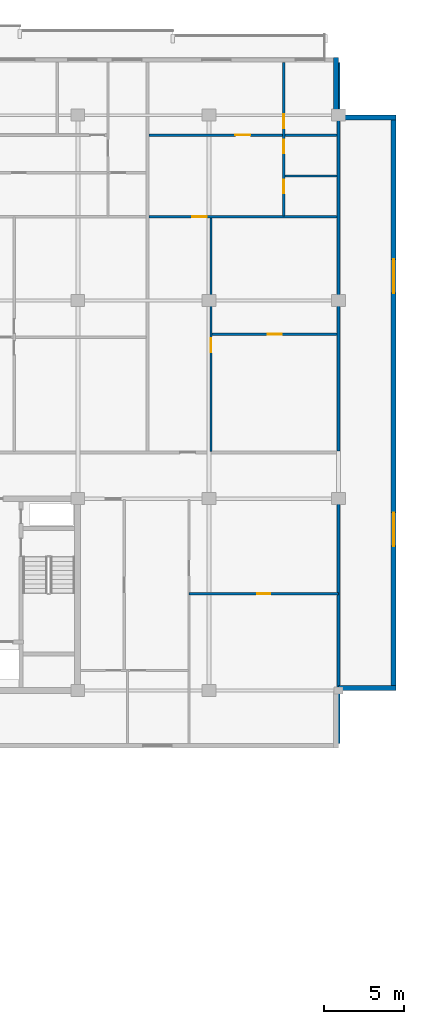
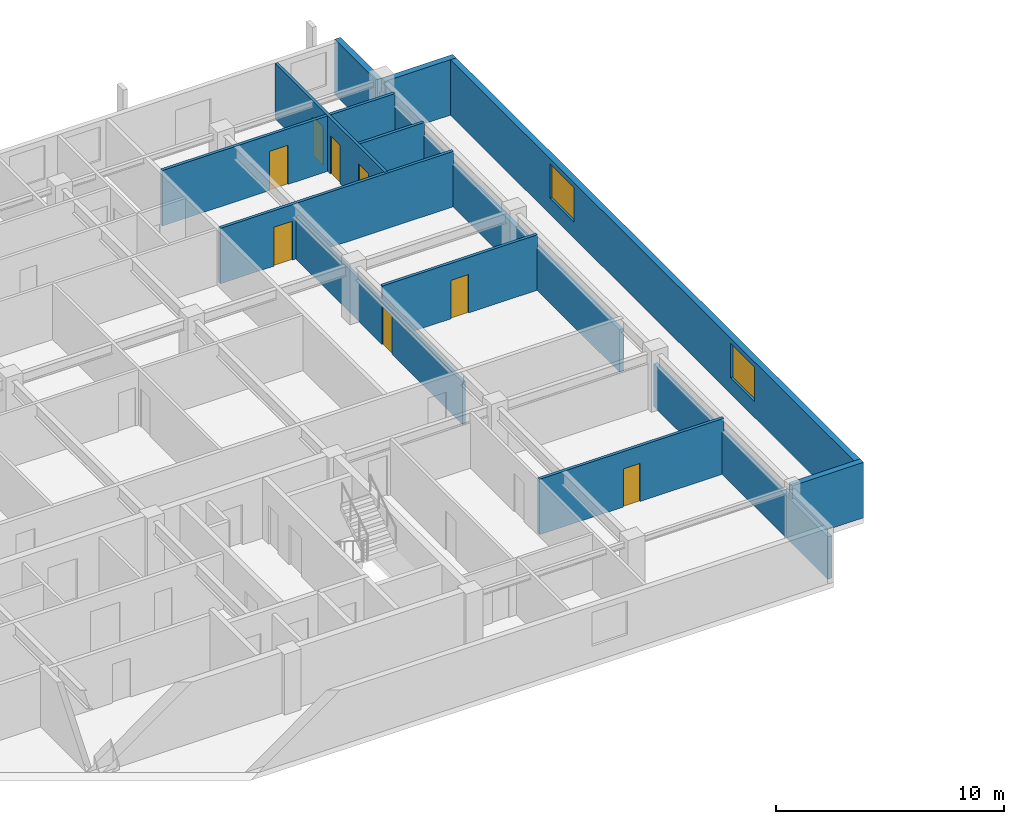
# One storey, part 16 of 22: 13 walls, 8 doors, 2 windows, 10 openings.
"""IFC4 building model written with IfcOpenShell, lengths in metres."""

from ifc_helpers import new_model, si_unit, direction, frame, frame_2d, origin, place, context, subcontext, project, spatial, rectangle, extrude, material, layer, layer_set, type_object, element, fill, save


model = new_model("IFC4")

# Units and contexts
model_context = context("Model", 3, precision=1e-05, world=origin(), true_north=direction((0.0, 1.0)))
body_context = subcontext(model_context, "Body", "Model", "MODEL_VIEW")
ifc_project = project(units=[si_unit("LENGTHUNIT", "METRE"), si_unit("AREAUNIT", "SQUARE_METRE"), si_unit("VOLUMEUNIT", "CUBIC_METRE"), si_unit("PLANEANGLEUNIT", "RADIAN"), si_unit("MASSUNIT", "GRAM", prefix="KILO")], contexts=[model_context])

# Site, building, storey
site_placement = place(None, origin())
site = spatial("IfcSite", under=ifc_project, at=site_placement, CompositionType="ELEMENT")
building_placement = place(site_placement, origin())
building = spatial("IfcBuilding", under=site, at=building_placement, Name="Korimba Cascade Residences", CompositionType="ELEMENT")
storey_placement = place(building_placement, frame((0.0, 0.0, 194.60009765625)))
storey = spatial("IfcBuildingStorey", under=building, at=storey_placement, Name="L56", CompositionType="ELEMENT", Elevation=194.60009765625)

# Wall
ifc_material_1 = material(Name="Precast concrete C40/50", Category="concrete")
ifc_layer_1 = layer(ifc_material_1, 0.300048828125)
ifc_layer_set_1 = layer_set([ifc_layer_1], Name="Precast concrete C40/50")
wall_type_1 = type_object("IfcWallType", Name="EW-STONE-300", PredefinedType="STANDARD", material=ifc_layer_set_1)
wall_1_placement = place(storey_placement, frame((128.39990234375, 55.35009765625, 0.0), z_axis=(0.0, 0.0, 1.0), x_axis=(1.0, 0.0, 0.0)))
element("IfcWall", 1, at=wall_1_placement, inside=storey, type_object=wall_type_1, Name="L56 T1 Perimeter Stone Wall E02", PredefinedType="STANDARD", context=body_context, shape_type="SweptSolid", body=[
    extrude(rectangle(XDim=3.60009765625, YDim=0.300048828125, at=frame_2d((1.800048828125, 0.0))), origin(), (0.0, 0.0, 1.0), 2.969970703125),
])

# Wall, openings, windows
wall_2_placement = place(storey_placement, frame((131.85009765625, 55.199951171875, 0.0), z_axis=(0.0, 0.0, 1.0), x_axis=(0.0, 1.0, 0.0)))
wall_2 = element("IfcWall", 2, at=wall_2_placement, inside=storey, type_object=wall_type_1, Name="L56 T1 Perimeter Stone Wall E03", PredefinedType="STANDARD", context=body_context, shape_type="SweptSolid", body=[
    extrude(rectangle(XDim=36.0, YDim=0.300048828125, at=frame_2d((18.0, 0.0))), origin(), (0.0, 0.0, 1.0), 2.969970703125),
])
opening_1_placement = place(wall_2_placement, frame((9.030029296875, 0.0, 0.85009765625)))
opening_1 = element("IfcOpeningElement", 3, at=opening_1_placement, cuts=wall_2, Name="Opening W-03", PredefinedType="OPENING", context=body_context, shape_type="SweptSolid", body=[
    extrude(rectangle(XDim=2.10009765625, YDim=1.85009765625, at=frame_2d((1.050048828125, 0.925048828125))), frame((0.0, 0.16015625, 0.0), z_axis=(0.0, -1.0, 0.0), x_axis=(1.0, 0.0, 0.0)), (0.0, 0.0, 1.0), 0.320068359375),
])
opening_2_placement = place(wall_2_placement, frame((24.8701171875, 0.0, 0.85009765625)))
opening_2 = element("IfcOpeningElement", 4, at=opening_2_placement, cuts=wall_2, Name="Opening W-03", PredefinedType="OPENING", context=body_context, shape_type="SweptSolid", body=[
    extrude(rectangle(XDim=2.10009765625, YDim=1.85009765625, at=frame_2d((1.050048828125, 0.925048828125))), frame((0.0, 0.16015625, 0.0), z_axis=(0.0, -1.0, 0.0), x_axis=(1.0, 0.0, 0.0)), (0.0, 0.0, 1.0), 0.320068359375),
])
ifc_material_2 = material(Name="Double-Glazed Aluminium Window", Category="aluminium")
window_type = type_object("IfcWindowType", Name="WIN-CRN-2100", PartitioningType="DOUBLE_PANEL_HORIZONTAL", PredefinedType="WINDOW", material=ifc_material_2)
window_1_placement = place(opening_1_placement, origin())
window_1 = element("IfcWindow", 5, at=window_1_placement, inside=storey, type_object=window_type, Name="L56 T1 End View Window 3.1", OverallHeight=1.85009765625, OverallWidth=2.10009765625, PartitioningType="DOUBLE_PANEL_HORIZONTAL", PredefinedType="WINDOW", context=body_context, shape_type="SweptSolid", body=[
    extrude(rectangle(XDim=2.10009765625, YDim=1.85009765625, at=frame_2d((1.050048828125, 0.925048828125))), frame((0.0, 0.030029296875, 0.0), z_axis=(0.0, -1.0, 0.0), x_axis=(1.0, 0.0, 0.0)), (0.0, 0.0, 1.0), 0.06005859375),
])
fill(opening_1, window_1)
window_2_placement = place(opening_2_placement, origin())
window_2 = element("IfcWindow", 6, at=window_2_placement, inside=storey, type_object=window_type, Name="L56 T1 End View Window 3.2", OverallHeight=1.85009765625, OverallWidth=2.10009765625, PartitioningType="DOUBLE_PANEL_HORIZONTAL", PredefinedType="WINDOW", context=body_context, shape_type="SweptSolid", body=[
    extrude(rectangle(XDim=2.10009765625, YDim=1.85009765625, at=frame_2d((1.050048828125, 0.925048828125))), frame((0.0, 0.030029296875, 0.0), z_axis=(0.0, -1.0, 0.0), x_axis=(1.0, 0.0, 0.0)), (0.0, 0.0, 1.0), 0.06005859375),
])
fill(opening_2, window_2)

# Walls
for number, where, z_axis, x_axis, name in (
    (7, (132.0, 91.050048828125, 0.0), (0.0, 0.0, 1.0), (-1.0, 0.0, 0.0), "L56 T1 Perimeter Stone Wall E04"),
    (8, (128.25, 91.199951171875, 0.0), (0.0, 0.0, 1.0), (0.0, 1.0, 0.0), "L56 T1 Perimeter Stone Wall E05"),
):
    element("IfcWall", number, at=place(storey_placement, frame(where, z_axis=z_axis, x_axis=x_axis)), inside=storey, type_object=wall_type_1, Name=name, PredefinedType="STANDARD", context=body_context, shape_type="SweptSolid", body=[
        extrude(rectangle(XDim=3.60009765625, YDim=0.300048828125, at=frame_2d((1.800048828125, 0.0))), origin(), (0.0, 0.0, 1.0), 2.969970703125),
    ])
ifc_layer_2 = layer(ifc_material_1, 0.199951171875)
ifc_layer_set_2 = layer_set([ifc_layer_2], Name="Precast concrete C40/50")
wall_type_2 = type_object("IfcWallType", Name="WAL-IT-200", PredefinedType="PARTITIONING", material=ifc_layer_set_2)
wall_3_placement = place(storey_placement, frame((128.39990234375, 51.89990234375, 0.0), z_axis=(0.0, 0.0, 1.0), x_axis=(0.0, 1.0, 0.0)))
element("IfcWall", 9, at=wall_3_placement, inside=storey, type_object=wall_type_2, Name="L56 Partition Wall WAL-L56-T1-FE-WR", PredefinedType="PARTITIONING", context=body_context, shape_type="SweptSolid", body=[
    extrude(rectangle(XDim=15.300048828125, YDim=0.199951171875, at=frame_2d((7.64990234375, 0.0))), origin(), (0.0, 0.0, 1.0), 2.277099609375),
])
wall_4_placement = place(storey_placement, frame((128.39990234375, 70.179931640625, 0.0), z_axis=(0.0, 0.0, 1.0), x_axis=(0.0, 1.0, 0.0)))
element("IfcWall", 10, at=wall_4_placement, inside=storey, type_object=wall_type_2, Name="L56 Partition Wall WAL-L56-T1-BNDWR", PredefinedType="PARTITIONING", context=body_context, shape_type="SweptSolid", body=[
    extrude(rectangle(XDim=24.320068359375, YDim=0.199951171875, at=frame_2d((12.16015625, 0.0))), origin(), (0.0, 0.0, 1.0), 2.277099609375),
])

# Wall, opening, door
ifc_material_3 = material(Name="Insulated Acoustic Stud Partition", Category="gypsum")
ifc_layer_3 = layer(ifc_material_3, 0.14990234375)
ifc_layer_set_3 = layer_set([ifc_layer_3], Name="Insulated Acoustic Stud Partition")
wall_type_3 = type_object("IfcWallType", Name="WAL-PART-150", PredefinedType="PARTITIONING", material=ifc_layer_set_3)
wall_5_placement = place(storey_placement, frame((119.050048828125, 61.25, 0.0), z_axis=(0.0, 0.0, 1.0), x_axis=(1.0, 0.0, 0.0)))
wall_5 = element("IfcWall", 11, at=wall_5_placement, inside=storey, type_object=wall_type_3, Name="L56 Partition Wall WAL-L56-T1-FE-STH", PredefinedType="PARTITIONING", context=body_context, shape_type="SweptSolid", body=[
    extrude(rectangle(XDim=9.349853515625, YDim=0.14990234375, at=frame_2d((4.6748046875, 0.0))), origin(), (0.0, 0.0, 1.0), 2.969970703125),
])
opening_3_placement = place(wall_5_placement, frame((4.2548828125, 0.0, 0.0)))
opening_3 = element("IfcOpeningElement", 12, at=opening_3_placement, cuts=wall_5, Name="Opening D-BT1", PredefinedType="OPENING", context=body_context, shape_type="SweptSolid", body=[
    extrude(rectangle(XDim=0.840087890625, YDim=2.0400390625, at=frame_2d((0.419921875, 1.02001953125))), frame((0.0, 0.0849609375, 0.0), z_axis=(0.0, -1.0, 0.0), x_axis=(1.0, 0.0, 0.0)), (0.0, 0.0, 1.0), 0.169921875),
])
ifc_material_4 = material(Name="Moisture-Resistant Bathroom Timber Door", Category="wood")
door_type_1 = type_object("IfcDoorType", Name="DR-INT-850", OperationType="NOTDEFINED", PredefinedType="DOOR", material=ifc_material_4)
door_1_placement = place(opening_3_placement, origin())
door_1 = element("IfcDoor", 13, at=door_1_placement, inside=storey, type_object=door_type_1, Name="L56-T1-FE Dressing Store Door", OperationType="SINGLE_SWING_RIGHT", OverallHeight=2.0400390625, OverallWidth=0.840087890625, PredefinedType="DOOR", context=body_context, shape_type="SweptSolid", body=[
    extrude(rectangle(XDim=0.840087890625, YDim=2.0400390625, at=frame_2d((0.419921875, 1.02001953125))), frame((0.0, 0.02490234375, 0.0), z_axis=(0.0, -1.0, 0.0), x_axis=(1.0, 0.0, 0.0)), (0.0, 0.0, 1.0), 0.050048828125),
])
fill(opening_3, door_1)

wall_6_placement = place(storey_placement, frame((120.482421875, 77.485107421875, 0.0), z_axis=(0.0, 0.0, 1.0), x_axis=(1.0, 0.0, 0.0)))
wall_6 = element("IfcWall", 14, at=wall_6_placement, inside=storey, type_object=wall_type_3, Name="L56 Partition Wall WAL-L56-T1-U04-FMH", PredefinedType="PARTITIONING", context=body_context, shape_type="SweptSolid", body=[
    extrude(rectangle(XDim=7.837646484375, YDim=0.14990234375, at=frame_2d((3.9189453125, 0.0))), origin(), (0.0, 0.0, 1.0), 2.969970703125),
])
opening_4_placement = place(wall_6_placement, frame((3.478759765625, 0.0, 0.0)))
opening_4 = element("IfcOpeningElement", 15, at=opening_4_placement, cuts=wall_6, Name="Opening D-IN2", PredefinedType="OPENING", context=body_context, shape_type="SweptSolid", body=[
    extrude(rectangle(XDim=0.8798828125, YDim=2.06005859375, at=frame_2d((0.43994140625, 1.030029296875))), frame((0.0, 0.0849609375, 0.0), z_axis=(0.0, -1.0, 0.0), x_axis=(1.0, 0.0, 0.0)), (0.0, 0.0, 1.0), 0.169921875),
])
ifc_material_5 = material(Name="Acoustic Timber Bedroom Door", Category="wood")
door_type_2 = type_object("IfcDoorType", Name="DR-INT-880", OperationType="NOTDEFINED", PredefinedType="DOOR", material=ifc_material_5)
door_2_placement = place(opening_4_placement, origin())
door_2 = element("IfcDoor", 16, at=door_2_placement, inside=storey, type_object=door_type_2, Name="L56-T1-U04 Library Salon Door", OperationType="SINGLE_SWING_RIGHT", OverallHeight=2.06005859375, OverallWidth=0.8798828125, PredefinedType="DOOR", context=body_context, shape_type="SweptSolid", body=[
    extrude(rectangle(XDim=0.8798828125, YDim=2.06005859375, at=frame_2d((0.43994140625, 1.030029296875))), frame((0.0, 0.02490234375, 0.0), z_axis=(0.0, -1.0, 0.0), x_axis=(1.0, 0.0, 0.0)), (0.0, 0.0, 1.0), 0.050048828125),
])
fill(opening_4, door_2)

wall_7_placement = place(storey_placement, frame((120.42236328125, 70.159912109375, 0.0), z_axis=(0.0, 0.0, 1.0), x_axis=(0.0, 1.0, 0.0)))
wall_7 = element("IfcWall", 17, at=wall_7_placement, inside=storey, type_object=wall_type_3, Name="L56 Partition Wall WAL-L56-T1-U04-FV", PredefinedType="PARTITIONING", context=body_context, shape_type="SweptSolid", body=[
    extrude(rectangle(XDim=14.650146484375, YDim=0.14990234375, at=frame_2d((7.3251953125, 0.0))), origin(), (0.0, 0.0, 1.0), 2.277099609375),
])
opening_5_placement = place(wall_7_placement, frame((6.195068359375, 0.0, 0.0)))
opening_5 = element("IfcOpeningElement", 18, at=opening_5_placement, cuts=wall_7, Name="Opening D-IN2", PredefinedType="OPENING", context=body_context, shape_type="SweptSolid", body=[
    extrude(rectangle(XDim=0.8798828125, YDim=2.06005859375, at=frame_2d((0.43994140625, 1.030029296875))), frame((0.0, 0.0849609375, 0.0), z_axis=(0.0, -1.0, 0.0), x_axis=(1.0, 0.0, 0.0)), (0.0, 0.0, 1.0), 0.169921875),
])
door_3_placement = place(opening_5_placement, origin())
door_3 = element("IfcDoor", 19, at=door_3_placement, inside=storey, type_object=door_type_2, Name="L56-T1-U04 Media Lounge Door", OperationType="SINGLE_SWING_LEFT", OverallHeight=2.06005859375, OverallWidth=0.8798828125, PredefinedType="DOOR", context=body_context, shape_type="SweptSolid", body=[
    extrude(rectangle(XDim=0.8798828125, YDim=2.06005859375, at=frame_2d((0.43994140625, 1.030029296875))), frame((0.0, 0.02490234375, 0.0), z_axis=(0.0, -1.0, 0.0), x_axis=(1.0, 0.0, 0.0)), (0.0, 0.0, 1.0), 0.050048828125),
])
fill(opening_5, door_3)

# Wall
wall_8_placement = place(storey_placement, frame((125.0400390625, 87.389892578125, 0.0), z_axis=(0.0, 0.0, 1.0), x_axis=(1.0, 0.0, 0.0)))
element("IfcWall", 20, at=wall_8_placement, inside=storey, type_object=wall_type_3, Name="L56 Partition Wall WAL-L56-T1-U04-BLDIV", PredefinedType="PARTITIONING", context=body_context, shape_type="SweptSolid", body=[
    extrude(rectangle(XDim=3.280029296875, YDim=0.14990234375, at=frame_2d((1.64013671875, 0.0))), origin(), (0.0, 0.0, 1.0), 2.969970703125),
])

# Wall, openings, doors
wall_9_placement = place(storey_placement, frame((124.97998046875, 84.889892578125, 0.0), z_axis=(0.0, 0.0, 1.0), x_axis=(0.0, 1.0, 0.0)))
wall_9 = element("IfcWall", 21, at=wall_9_placement, inside=storey, type_object=wall_type_3, Name="L56 Partition Wall WAL-L56-T1-U04-V1", PredefinedType="PARTITIONING", context=body_context, shape_type="SweptSolid", body=[
    extrude(rectangle(XDim=9.610107421875, YDim=0.14990234375, at=frame_2d((4.80517578125, 0.0))), origin(), (0.0, 0.0, 1.0), 2.969970703125),
])
opening_6_placement = place(wall_9_placement, frame((1.430419921875, 0.0, 0.0)))
opening_6 = element("IfcOpeningElement", 22, at=opening_6_placement, cuts=wall_9, Name="Opening D-BT1", PredefinedType="OPENING", context=body_context, shape_type="SweptSolid", body=[
    extrude(rectangle(XDim=0.840087890625, YDim=2.0400390625, at=frame_2d((0.419921875, 1.02001953125))), frame((0.0, 0.0849609375, 0.0), z_axis=(0.0, -1.0, 0.0), x_axis=(1.0, 0.0, 0.0)), (0.0, 0.0, 1.0), 0.169921875),
])
opening_7_placement = place(wall_9_placement, frame((3.919921875, 0.0, 0.0)))
opening_7 = element("IfcOpeningElement", 23, at=opening_7_placement, cuts=wall_9, Name="Opening D-BT1", PredefinedType="OPENING", context=body_context, shape_type="SweptSolid", body=[
    extrude(rectangle(XDim=0.840087890625, YDim=2.0400390625, at=frame_2d((0.419921875, 1.02001953125))), frame((0.0, 0.0849609375, 0.0), z_axis=(0.0, -1.0, 0.0), x_axis=(1.0, 0.0, 0.0)), (0.0, 0.0, 1.0), 0.169921875),
])
opening_8_placement = place(wall_9_placement, frame((5.47998046875, 0.0, 0.0)))
opening_8 = element("IfcOpeningElement", 24, at=opening_8_placement, cuts=wall_9, Name="Opening D-IN2", PredefinedType="OPENING", context=body_context, shape_type="SweptSolid", body=[
    extrude(rectangle(XDim=0.8798828125, YDim=2.06005859375, at=frame_2d((0.43994140625, 1.030029296875))), frame((0.0, 0.0849609375, 0.0), z_axis=(0.0, -1.0, 0.0), x_axis=(1.0, 0.0, 0.0)), (0.0, 0.0, 1.0), 0.169921875),
])
door_4_placement = place(opening_6_placement, origin())
door_4 = element("IfcDoor", 25, at=door_4_placement, inside=storey, type_object=door_type_1, Name="L56-T1-U04 Bathroom Door", OperationType="SINGLE_SWING_RIGHT", OverallHeight=2.0400390625, OverallWidth=0.840087890625, PredefinedType="DOOR", context=body_context, shape_type="SweptSolid", body=[
    extrude(rectangle(XDim=0.840087890625, YDim=2.0400390625, at=frame_2d((0.419921875, 1.02001953125))), frame((0.0, 0.02490234375, 0.0), z_axis=(0.0, -1.0, 0.0), x_axis=(1.0, 0.0, 0.0)), (0.0, 0.0, 1.0), 0.050048828125),
])
fill(opening_6, door_4)
door_5_placement = place(opening_7_placement, origin())
door_5 = element("IfcDoor", 26, at=door_5_placement, inside=storey, type_object=door_type_1, Name="L56-T1-U04 Laundry Door", OperationType="SINGLE_SWING_LEFT", OverallHeight=2.0400390625, OverallWidth=0.840087890625, PredefinedType="DOOR", context=body_context, shape_type="SweptSolid", body=[
    extrude(rectangle(XDim=0.840087890625, YDim=2.0400390625, at=frame_2d((0.419921875, 1.02001953125))), frame((0.0, 0.02490234375, 0.0), z_axis=(0.0, -1.0, 0.0), x_axis=(1.0, 0.0, 0.0)), (0.0, 0.0, 1.0), 0.050048828125),
])
fill(opening_7, door_5)
door_6_placement = place(opening_8_placement, origin())
door_6 = element("IfcDoor", 27, at=door_6_placement, inside=storey, type_object=door_type_2, Name="L56-T1-U04 Bedroom 1 Door", OperationType="SINGLE_SWING_RIGHT", OverallHeight=2.06005859375, OverallWidth=0.8798828125, PredefinedType="DOOR", context=body_context, shape_type="SweptSolid", body=[
    extrude(rectangle(XDim=0.8798828125, YDim=2.06005859375, at=frame_2d((0.43994140625, 1.030029296875))), frame((0.0, 0.02490234375, 0.0), z_axis=(0.0, -1.0, 0.0), x_axis=(1.0, 0.0, 0.0)), (0.0, 0.0, 1.0), 0.050048828125),
])
fill(opening_8, door_6)

# Wall, opening, door
wall_10_placement = place(storey_placement, frame((116.5322265625, 84.85009765625, 0.0), z_axis=(0.0, 0.0, 1.0), x_axis=(1.0, 0.0, 0.0)))
wall_10 = element("IfcWall", 28, at=wall_10_placement, inside=storey, type_object=wall_type_3, Name="L56 Partition Wall WAL-L56-T1-U04-MW", PredefinedType="PARTITIONING", context=body_context, shape_type="SweptSolid", body=[
    extrude(rectangle(XDim=11.787841796875, YDim=0.14990234375, at=frame_2d((5.89404296875, 0.0))), origin(), (0.0, 0.0, 1.0), 2.969970703125),
])
opening_9_placement = place(wall_10_placement, frame((2.719970703125, 0.0, 0.0)))
opening_9 = element("IfcOpeningElement", 29, at=opening_9_placement, cuts=wall_10, Name="Opening D-IN1", PredefinedType="OPENING", context=body_context, shape_type="SweptSolid", body=[
    extrude(rectangle(XDim=0.919921875, YDim=2.080078125, at=frame_2d((0.4599609375, 1.0400390625))), frame((0.0, 0.0849609375, 0.0), z_axis=(0.0, -1.0, 0.0), x_axis=(1.0, 0.0, 0.0)), (0.0, 0.0, 1.0), 0.169921875),
])
ifc_material_6 = material(Name="Acoustic Timber Living Door", Category="wood")
door_type_3 = type_object("IfcDoorType", Name="DR-INT-920", OperationType="NOTDEFINED", PredefinedType="DOOR", material=ifc_material_6)
door_7_placement = place(opening_9_placement, origin())
door_7 = element("IfcDoor", 30, at=door_7_placement, inside=storey, type_object=door_type_3, Name="L56-T1-U04 Kitchen Archway Door", OperationType="SINGLE_SWING_LEFT", OverallHeight=2.080078125, OverallWidth=0.919921875, PredefinedType="DOOR", context=body_context, shape_type="SweptSolid", body=[
    extrude(rectangle(XDim=0.919921875, YDim=2.080078125, at=frame_2d((0.4599609375, 1.0400390625))), frame((0.0, 0.02490234375, 0.0), z_axis=(0.0, -1.0, 0.0), x_axis=(1.0, 0.0, 0.0)), (0.0, 0.0, 1.0), 0.050048828125),
])
fill(opening_9, door_7)

wall_11_placement = place(storey_placement, frame((116.5322265625, 89.949951171875, 0.0), z_axis=(0.0, 0.0, 1.0), x_axis=(1.0, 0.0, 0.0)))
wall_11 = element("IfcWall", 31, at=wall_11_placement, inside=storey, type_object=wall_type_3, Name="L56 Partition Wall WAL-L56-T1-U04-HZ", PredefinedType="PARTITIONING", context=body_context, shape_type="SweptSolid", body=[
    extrude(rectangle(XDim=11.787841796875, YDim=0.14990234375, at=frame_2d((5.89404296875, 0.0))), origin(), (0.0, 0.0, 1.0), 2.969970703125),
])
opening_10_placement = place(wall_11_placement, frame((5.423828125, 0.0, 0.0)))
opening_10 = element("IfcOpeningElement", 32, at=opening_10_placement, cuts=wall_11, Name="Opening D-IN0", PredefinedType="OPENING", context=body_context, shape_type="SweptSolid", body=[
    extrude(rectangle(XDim=0.93994140625, YDim=2.10009765625, at=frame_2d((0.469970703125, 1.050048828125))), frame((0.0, 0.0849609375, 0.0), z_axis=(0.0, -1.0, 0.0), x_axis=(1.0, 0.0, 0.0)), (0.0, 0.0, 1.0), 0.169921875),
])
ifc_material_7 = material(Name="Acoustic Timber Living Archway Door", Category="wood")
door_type_4 = type_object("IfcDoorType", Name="DR-INT-950", OperationType="NOTDEFINED", PredefinedType="DOOR", material=ifc_material_7)
door_8_placement = place(opening_10_placement, origin())
door_8 = element("IfcDoor", 33, at=door_8_placement, inside=storey, type_object=door_type_4, Name="L56-T1-U04 Living Archway Door", OperationType="SINGLE_SWING_RIGHT", OverallHeight=2.10009765625, OverallWidth=0.93994140625, PredefinedType="DOOR", context=body_context, shape_type="SweptSolid", body=[
    extrude(rectangle(XDim=0.93994140625, YDim=2.10009765625, at=frame_2d((0.469970703125, 1.050048828125))), frame((0.0, 0.02490234375, 0.0), z_axis=(0.0, -1.0, 0.0), x_axis=(1.0, 0.0, 0.0)), (0.0, 0.0, 1.0), 0.050048828125),
])
fill(opening_10, door_8)

save(model, "model.ifc")
